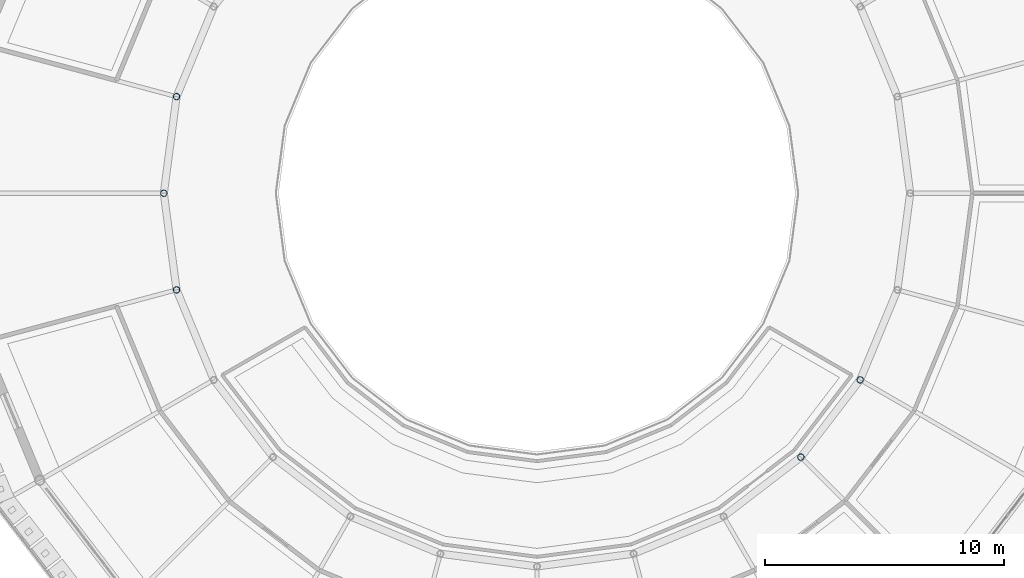
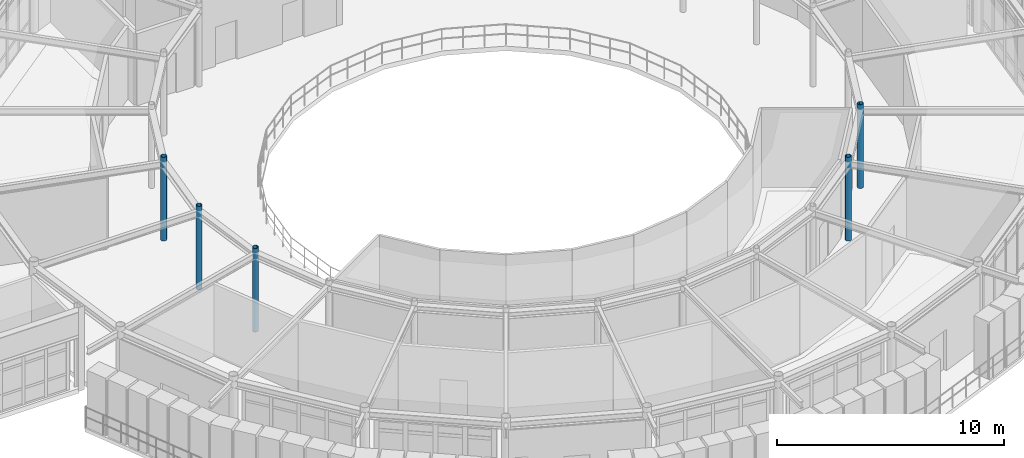
# One storey, part 11 of 106: 5 columns.
"""IFC4 building model written with IfcOpenShell, lengths in metres."""

from ifc_helpers import new_model, si_unit, derived_unit, direction, frame, origin, origin_2d, place, context, subcontext, project, spatial, hollow_circle, extrude, material, material_profile, profile_set, type_object, element, save


model = new_model("IFC4")

# Units and contexts
model_context = context("Model", 3, precision=1e-05, world=origin(), true_north=direction((0.0, 1.0)))
body_context = subcontext(model_context, "Body", "Model", "MODEL_VIEW")
ifc_project = project(units=[si_unit("LENGTHUNIT", "METRE"), si_unit("AREAUNIT", "SQUARE_METRE"), si_unit("VOLUMEUNIT", "CUBIC_METRE"), si_unit("PLANEANGLEUNIT", "RADIAN"), si_unit("MASSUNIT", "GRAM", prefix="KILO"), derived_unit("THERMALTRANSMITTANCEUNIT", [(si_unit("POWERUNIT", "WATT"), 1), (si_unit("AREAUNIT", "SQUARE_METRE"), -1), (si_unit("THERMODYNAMICTEMPERATUREUNIT", "KELVIN"), -1)])], contexts=[model_context])

# Site, building, storey
site_placement = place(None, origin())
site = spatial("IfcSite", under=ifc_project, at=site_placement, CompositionType="ELEMENT")
building_placement = place(site_placement, origin())
building = spatial("IfcBuilding", under=site, at=building_placement, Name="Yasenodar Specialist Clinic", CompositionType="ELEMENT")
storey_placement = place(building_placement, frame((0.0, 0.0, 4.5)))
storey = spatial("IfcBuildingStorey", under=building, at=storey_placement, Name="L01", CompositionType="ELEMENT", Elevation=4.5)

# Columns
ifc_material = material(Name="Steel S355", Category="steel")
ifc_material_profile = material_profile(ifc_material, hollow_circle(Radius=0.136474609375, WallThickness=0.012451171875, at=origin_2d()), Name="CHS 273x12.5")
ifc_profile_set = profile_set([ifc_material_profile], Name="Steel S355")
column_type = type_object("IfcColumnType", Name="COL-ST-CHS273", PredefinedType="COLUMN", material=ifc_profile_set)
for number, where, z_axis, x_axis, name in (
    (1, (65.931640625, 62.837646484375, 0.0), (0.0, 0.0, 1.0), (1.0, 0.0, 0.0), "L01 Drum V1 Inner Column 12"),
    (2, (65.39990234375, 58.800048828125, 0.0), (0.0, 0.0, 1.0), (1.0, 0.0, 0.0), "L01 Drum V1 Inner Column 13"),
    (3, (65.931640625, 54.762451171875, 0.0), (0.0, 0.0, 1.0), (1.0, 0.0, 0.0), "L01 Drum V1 Inner Column 14"),
    (4, (92.031005859375, 47.76904296875, 0.0), (0.0, 0.0, 1.0), (1.0, 0.0, 0.0), "L01 Drum V1 Inner Column 22"),
    (5, (94.510009765625, 51.0, 0.0), (0.0, 0.0, 1.0), (1.0, 0.0, 0.0), "L01 Drum V1 Inner Column 23"),
):
    element("IfcColumn", number, at=place(storey_placement, frame(where, z_axis=z_axis, x_axis=x_axis)), inside=storey, type_object=column_type, Name=name, PredefinedType="COLUMN", context=body_context, shape_type="SweptSolid", body=[
        extrude(hollow_circle(Radius=0.136474609375, WallThickness=0.012451171875, at=origin_2d()), origin(), (0.0, 0.0, 1.0), 4.5),
    ])

save(model, "model.ifc")
